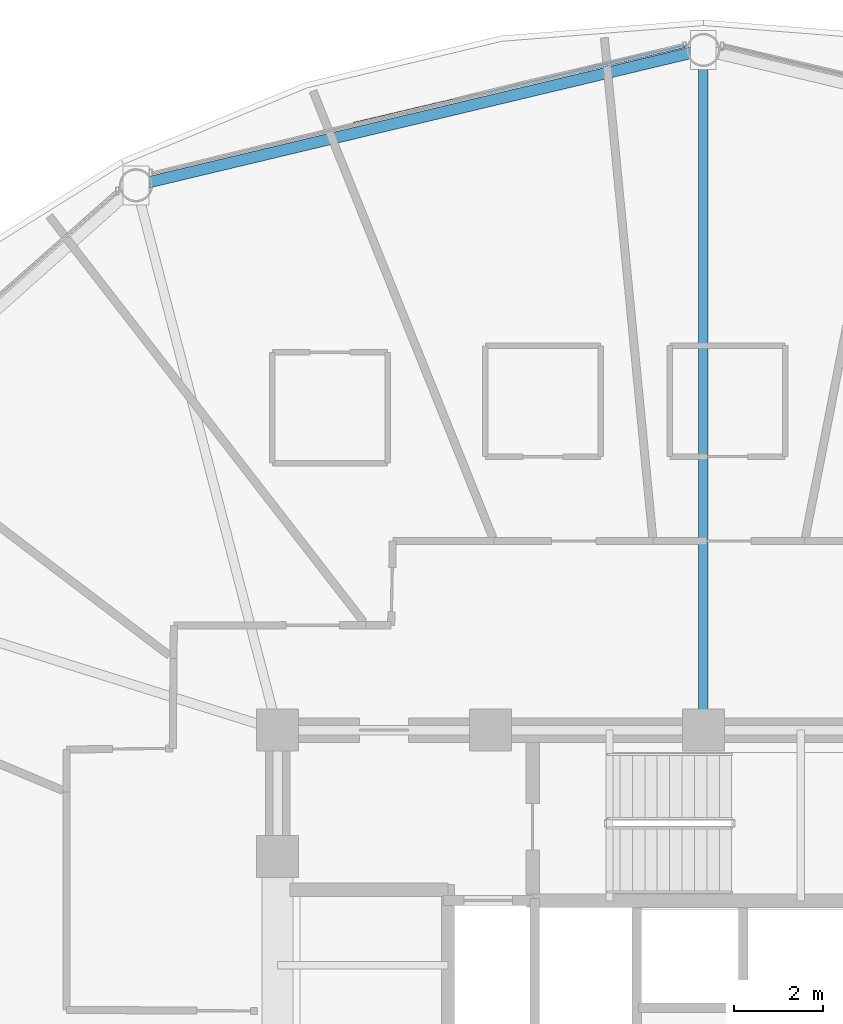
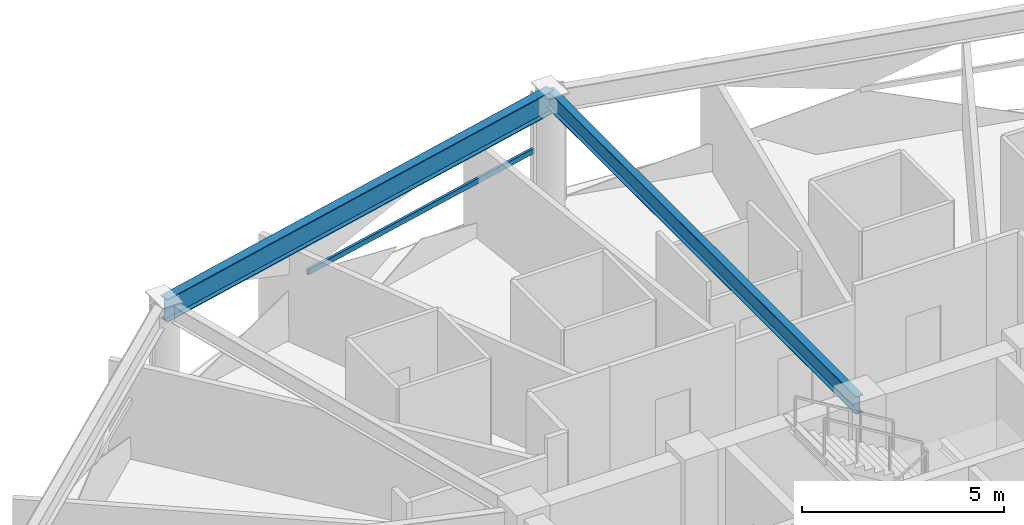
# One storey, part 17 of 32: 2 beams, 1 member, 1 element without a shape of its own.
"""IFC4 building model written with IfcOpenShell, lengths in metres."""

from ifc_helpers import new_model, si_unit, direction, frame, origin, origin_2d, place, context, subcontext, project, spatial, hollow_rectangle, i_section, extrude, material, layer, layer_set, material_profile, profile_set, type_object, element, aggregate, save


model = new_model("IFC4")

# Units and contexts
model_context = context("Model", 3, precision=1e-05, world=origin(), true_north=direction((0.0, 1.0)))
body_context = subcontext(model_context, "Body", "Model", "MODEL_VIEW")
ifc_project = project(units=[si_unit("LENGTHUNIT", "METRE"), si_unit("AREAUNIT", "SQUARE_METRE"), si_unit("VOLUMEUNIT", "CUBIC_METRE"), si_unit("PLANEANGLEUNIT", "RADIAN"), si_unit("MASSUNIT", "GRAM", prefix="KILO")], contexts=[model_context])

# Site, building, storey
site_placement = place(None, origin())
site = spatial("IfcSite", under=ifc_project, at=site_placement, CompositionType="ELEMENT")
building_placement = place(site_placement, origin())
building = spatial("IfcBuilding", under=site, at=building_placement, Name="Vantalir Tower", CompositionType="ELEMENT")
storey_placement = place(building_placement, frame((0.0, 0.0, 108.449951171875)))
storey = spatial("IfcBuildingStorey", under=building, at=storey_placement, Name="L26", CompositionType="ELEMENT", Elevation=108.449951171875)

# Beams
ifc_material_1 = material(Name="Steel S355", Category="steel")
ifc_material_profile_1 = material_profile(ifc_material_1, i_section(OverallWidth=0.2109375, OverallDepth=0.5390625, WebThickness=0.01171875, FlangeThickness=0.018798828125, at=origin_2d()), Name="Steel S355")
ifc_profile_set_1 = profile_set([ifc_material_profile_1], Name="Steel S355")
beam_type_1 = type_object("IfcBeamType", Name="BM-RB-533x210", PredefinedType="BEAM", material=ifc_profile_set_1)
beam_1_placement = place(storey_placement, frame((31.5, 47.7880859375, 3.300048828125), z_axis=(0.0, -1.0, 0.0), x_axis=(1.0, 0.0, 0.0)))
element("IfcBeam", 1, at=beam_1_placement, inside=storey, type_object=beam_type_1, Name="L26 Radial Floor Beam 04", PredefinedType="BEAM", context=body_context, shape_type="SweptSolid", body=[
    extrude(i_section(OverallWidth=0.2109375, OverallDepth=0.5390625, WebThickness=0.01171875, FlangeThickness=0.018798828125, at=origin_2d()), origin(), (0.0, 0.0, 1.0), 15.338134765625),
])
ifc_material_2 = material(Name="Steel S460", Category="steel")
ifc_material_profile_2 = material_profile(ifc_material_2, i_section(OverallWidth=0.256103515625, OverallDepth=0.693115234375, WebThickness=0.014404296875, FlangeThickness=0.023681640625, at=origin_2d()), Name="Steel S460")
ifc_profile_set_2 = profile_set([ifc_material_profile_2], Name="Steel S460")
beam_type_2 = type_object("IfcBeamType", Name="BM-RG-686x254", PredefinedType="USERDEFINED", material=ifc_profile_set_2)
beam_2_placement = place(storey_placement, frame((31.5, 47.7880859375, 3.22314453125), z_axis=(-0.972689585219, -0.232109824883, 0.0), x_axis=(0.232109824883, -0.972689585219, 0.0)))
element("IfcBeam", 2, at=beam_2_placement, inside=storey, type_object=beam_type_2, Name="L26 Circumferential Ring Girder 04", ObjectType="GIRDER", PredefinedType="USERDEFINED", context=body_context, shape_type="SweptSolid", body=[
    extrude(i_section(OverallWidth=0.256103515625, OverallDepth=0.693115234375, WebThickness=0.014404296875, FlangeThickness=0.023681640625, at=origin_2d()), origin(), (0.0, 0.0, 1.0), 13.153076171875),
])

# Curtain wall, member
ifc_material_3 = material(Name="Champagne-silver PVDF aluminium and double-silver Low-E glass", Category="aluminium")
ifc_layer = layer(ifc_material_3, 0.199951171875)
ifc_layer_set = layer_set([ifc_layer], Name="Champagne-silver PVDF aluminium and double-silver Low-E glass")
curtain_wall_type = type_object("IfcCurtainWallType", Name="CW-DIAMOND-Z2", PredefinedType="USERDEFINED", material=ifc_layer_set)
curtain_wall_placement = place(storey_placement, origin())
curtain_wall = element("IfcCurtainWall", 3, at=curtain_wall_placement, inside=storey, type_object=curtain_wall_type, Name="L26 Quilted Pyramid-Diamond Curtain Wall S04", ObjectType="UNITISED CURTAIN WALL", PredefinedType="USERDEFINED")
ifc_material_4 = material(Name="Champagne-silver PVDF aluminium 6063-T6", Category="aluminium")
ifc_material_profile_3 = material_profile(ifc_material_4, hollow_rectangle(XDim=0.074951171875, YDim=0.159912109375, WallThickness=0.00390625, at=origin_2d()), Name="Champagne-silver PVDF aluminium 6063-T6")
ifc_profile_set_3 = profile_set([ifc_material_profile_3], Name="Champagne-silver PVDF aluminium 6063-T6")
member_type = type_object("IfcMemberType", Name="CWT-160x75", PredefinedType="USERDEFINED", material=ifc_profile_set_3)
member_placement = place(storey_placement, frame((31.072021484375, 47.8759765625, 1.78515625), z_axis=(-0.973369996318, -0.229239722272, 0.0), x_axis=(0.229239722272, -0.973369996318, 0.0)))
member = element("IfcMember", 4, at=member_placement, type_object=member_type, Name="CW-L26-S04 Pyramid Fold Ridge Transom", ObjectType="TRANSOM", PredefinedType="USERDEFINED", context=body_context, shape_type="SweptSolid", body=[
    extrude(hollow_rectangle(XDim=0.074951171875, YDim=0.159912109375, WallThickness=0.00390625, at=origin_2d()), origin(), (0.0, 0.0, 1.0), 7.67333984375),
])
aggregate(curtain_wall, [member])

save(model, "model.ifc")
